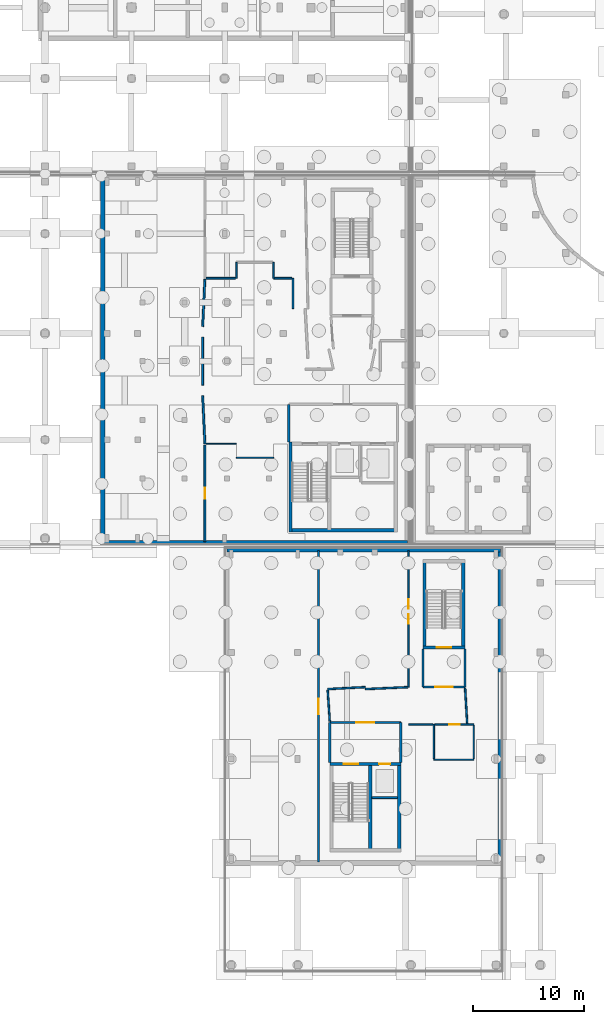
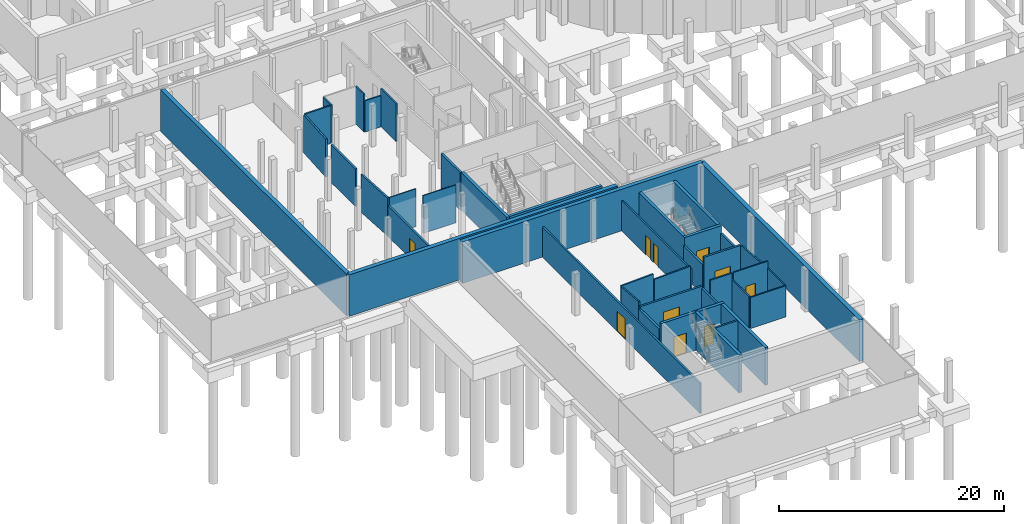
# One storey, part 20 of 40: 42 walls, 10 doors, 10 openings.
"""IFC4 building model written with IfcOpenShell, lengths in metres."""

from ifc_helpers import new_model, si_unit, direction, frame, frame_2d, origin, place, context, subcontext, project, spatial, rectangle, extrude, material, layer, layer_set, type_object, element, fill, save


model = new_model("IFC4")

# Units and contexts
model_context = context("Model", 3, precision=1e-05, world=origin(), true_north=direction((0.0, 1.0)))
body_context = subcontext(model_context, "Body", "Model", "MODEL_VIEW")
ifc_project = project(units=[si_unit("LENGTHUNIT", "METRE"), si_unit("AREAUNIT", "SQUARE_METRE"), si_unit("VOLUMEUNIT", "CUBIC_METRE"), si_unit("PLANEANGLEUNIT", "RADIAN"), si_unit("MASSUNIT", "GRAM", prefix="KILO")], contexts=[model_context])

# Site, building, storey
site_placement = place(None, origin())
site = spatial("IfcSite", under=ifc_project, at=site_placement, CompositionType="ELEMENT")
building_placement = place(site_placement, origin())
building = spatial("IfcBuilding", under=site, at=building_placement, Name="Mzevani Central Library", CompositionType="ELEMENT")
storey_placement = place(building_placement, frame((0.0, 0.0, -4.5)))
storey = spatial("IfcBuildingStorey", under=building, at=storey_placement, Name="B1", CompositionType="ELEMENT", Elevation=-4.5)

# Walls
ifc_material_1 = material(Name="Concrete C35/45", Category="concrete")
ifc_layer_1 = layer(ifc_material_1, 0.419921875, Name="Basement Retaining Wall 420")
ifc_layer_set_1 = layer_set([ifc_layer_1], Name="Concrete C35/45")
wall_type_1 = type_object("IfcWallType", Name="Basement Retaining Wall 420", PredefinedType="SOLIDWALL", material=ifc_layer_set_1)
wall_1_placement = place(storey_placement, frame((29.409912109375, 42.090087890625, 0.0), z_axis=(0.0, 0.0, 1.0), x_axis=(1.0, 0.0, 0.0)))
element("IfcWall", 1, at=wall_1_placement, inside=storey, type_object=wall_type_1, Name="B1 V4 Perimeter Retaining Wall (58)", PredefinedType="SOLIDWALL", context=body_context, shape_type="SweptSolid", body=[
    extrude(rectangle(XDim=24.68017578125, YDim=0.419921875, at=frame_2d((12.340087890625, 0.0))), origin(), (0.0, 0.0, 1.0), 4.5),
])
wall_2_placement = place(storey_placement, frame((54.090087890625, 42.090087890625, 0.0), z_axis=(0.0, 0.0, 1.0), x_axis=(0.0, -1.0, 0.0)))
element("IfcWall", 2, at=wall_2_placement, inside=storey, type_object=wall_type_1, Name="B1 V4 Perimeter Retaining Wall (59)", PredefinedType="SOLIDWALL", context=body_context, shape_type="SweptSolid", body=[
    extrude(rectangle(XDim=28.280029296875, YDim=0.419921875, at=frame_2d((14.14013671875, 0.0))), origin(), (0.0, 0.0, 1.0), 4.5),
])
wall_3_placement = place(storey_placement, frame((45.68994140625, 42.7099609375, 0.0), z_axis=(0.0, 0.0, 1.0), x_axis=(-1.0, 0.0, 0.0)))
element("IfcWall", 3, at=wall_3_placement, inside=storey, type_object=wall_type_1, Name="B1 V5 Perimeter Retaining Wall (64)", PredefinedType="SOLIDWALL", context=body_context, shape_type="SweptSolid", body=[
    extrude(rectangle(XDim=27.47998046875, YDim=0.419921875, at=frame_2d((13.739990234375, 0.0))), origin(), (0.0, 0.0, 1.0), 4.5),
])
wall_4_placement = place(storey_placement, frame((18.2099609375, 42.7099609375, 0.0), z_axis=(0.0, 0.0, 1.0), x_axis=(0.0, 1.0, 0.0)))
element("IfcWall", 4, at=wall_4_placement, inside=storey, type_object=wall_type_1, Name="B1 V5 Perimeter Retaining Wall (65)", PredefinedType="SOLIDWALL", context=body_context, shape_type="SweptSolid", body=[
    extrude(rectangle(XDim=32.97998046875, YDim=0.419921875, at=frame_2d((16.489990234375, 0.0))), origin(), (0.0, 0.0, 1.0), 4.5),
])
ifc_layer_2 = layer(ifc_material_1, 0.199951171875, Name="Compartment Wall 200")
ifc_layer_set_2 = layer_set([ifc_layer_2], Name="Concrete C35/45")
wall_type_2 = type_object("IfcWallType", Name="Compartment Wall 200", PredefinedType="STANDARD", material=ifc_layer_set_2)
wall_5_placement = place(storey_placement, frame((38.699951171875, 22.89990234375, 0.0), z_axis=(0.0, 0.0, 1.0), x_axis=(0.0, 1.0, 0.0)))
element("IfcWall", 5, at=wall_5_placement, inside=storey, type_object=wall_type_2, Name="B1 Protected Stair Lobby C4A Enclosure Wall 1", PredefinedType="STANDARD", context=body_context, shape_type="SweptSolid", body=[
    extrude(rectangle(XDim=3.60009765625, YDim=0.199951171875, at=frame_2d((1.800048828125, 0.0))), origin(), (0.0, 0.0, 1.0), 3.3798828125),
])

# Wall, opening, door
wall_6_placement = place(storey_placement, frame((38.699951171875, 26.5, 0.0), z_axis=(0.0, 0.0, 1.0), x_axis=(1.0, 0.0, 0.0)))
wall_6 = element("IfcWall", 6, at=wall_6_placement, inside=storey, type_object=wall_type_2, Name="B1 Protected Stair Lobby C4A Enclosure Wall 2", PredefinedType="STANDARD", context=body_context, shape_type="SweptSolid", body=[
    extrude(rectangle(XDim=6.400146484375, YDim=0.199951171875, at=frame_2d((3.2001953125, 0.0))), origin(), (0.0, 0.0, 1.0), 3.6298828125),
])
opening_1_placement = place(wall_6_placement, frame((2.39990234375, 0.0, 0.0)))
opening_1 = element("IfcOpeningElement", 7, at=opening_1_placement, cuts=wall_6, Name="Opening FD-02", PredefinedType="OPENING", context=body_context, shape_type="SweptSolid", body=[
    extrude(rectangle(XDim=1.60009765625, YDim=2.199951171875, at=frame_2d((0.800048828125, 1.10009765625))), frame((0.0, 0.10986328125, 0.0), z_axis=(0.0, -1.0, 0.0), x_axis=(1.0, 0.0, 0.0)), (0.0, 0.0, 1.0), 0.219970703125),
])
ifc_material_2 = material(Name="Fire-rated steel door assembly", Category="steel")
door_type_1 = type_object("IfcDoorType", Name="Fire Lobby Double Door 1600x2200", OperationType="NOTDEFINED", PredefinedType="DOOR", material=ifc_material_2)
door_1_placement = place(opening_1_placement, origin())
door_1 = element("IfcDoor", 8, at=door_1_placement, inside=storey, type_object=door_type_1, Name="B1 Protected Stair Lobby C4A Smoke-Control Door", OperationType="DOUBLE_DOOR_SINGLE_SWING", OverallHeight=2.199951171875, OverallWidth=1.60009765625, PredefinedType="DOOR", context=body_context, shape_type="SweptSolid", body=[
    extrude(rectangle(XDim=1.60009765625, YDim=2.199951171875, at=frame_2d((0.800048828125, 1.10009765625))), frame((0.0, 0.02490234375, 0.0), z_axis=(0.0, -1.0, 0.0), x_axis=(1.0, 0.0, 0.0)), (0.0, 0.0, 1.0), 0.050048828125),
])
fill(opening_1, door_1)

# Walls
wall_7_placement = place(storey_placement, frame((45.10009765625, 26.5, 0.0), z_axis=(0.0, 0.0, 1.0), x_axis=(0.0, -1.0, 0.0)))
element("IfcWall", 9, at=wall_7_placement, inside=storey, type_object=wall_type_2, Name="B1 Protected Stair Lobby C4A Enclosure Wall 3", PredefinedType="STANDARD", context=body_context, shape_type="SweptSolid", body=[
    extrude(rectangle(XDim=3.60009765625, YDim=0.199951171875, at=frame_2d((1.800048828125, 0.0))), origin(), (0.0, 0.0, 1.0), 3.3798828125),
])
wall_8_placement = place(storey_placement, frame((47.10009765625, 33.10009765625, 0.0), z_axis=(0.0, 0.0, 1.0), x_axis=(0.0, -1.0, 0.0)))
element("IfcWall", 10, at=wall_8_placement, inside=storey, type_object=wall_type_2, Name="B1 Stair Vestibule C4B Enclosure Wall 1", PredefinedType="STANDARD", context=body_context, shape_type="SweptSolid", body=[
    extrude(rectangle(XDim=3.400146484375, YDim=0.199951171875, at=frame_2d((1.7001953125, 0.0))), origin(), (0.0, 0.0, 1.0), 3.280029296875),
])

# Wall, opening, door
wall_9_placement = place(storey_placement, frame((47.10009765625, 29.699951171875, 0.0), z_axis=(0.0, 0.0, 1.0), x_axis=(1.0, 0.0, 0.0)))
wall_9 = element("IfcWall", 11, at=wall_9_placement, inside=storey, type_object=wall_type_2, Name="B1 Stair Vestibule C4B Enclosure Wall 2", PredefinedType="STANDARD", context=body_context, shape_type="SweptSolid", body=[
    extrude(rectangle(XDim=3.7998046875, YDim=0.199951171875, at=frame_2d((1.89990234375, 0.0))), origin(), (0.0, 0.0, 1.0), 4.10009765625),
])
opening_2_placement = place(wall_9_placement, frame((1.10009765625, 0.0, 0.0)))
opening_2 = element("IfcOpeningElement", 12, at=opening_2_placement, cuts=wall_9, Name="Opening FD-02", PredefinedType="OPENING", context=body_context, shape_type="SweptSolid", body=[
    extrude(rectangle(XDim=1.60009765625, YDim=2.199951171875, at=frame_2d((0.800048828125, 1.10009765625))), frame((0.0, 0.10986328125, 0.0), z_axis=(0.0, -1.0, 0.0), x_axis=(1.0, 0.0, 0.0)), (0.0, 0.0, 1.0), 0.219970703125),
])
door_2_placement = place(opening_2_placement, origin())
door_2 = element("IfcDoor", 13, at=door_2_placement, inside=storey, type_object=door_type_1, Name="B1 Stair Vestibule C4B Smoke-Control Door", OperationType="DOUBLE_DOOR_SINGLE_SWING", OverallHeight=2.199951171875, OverallWidth=1.60009765625, PredefinedType="DOOR", context=body_context, shape_type="SweptSolid", body=[
    extrude(rectangle(XDim=1.60009765625, YDim=2.199951171875, at=frame_2d((0.800048828125, 1.10009765625))), frame((0.0, 0.02490234375, 0.0), z_axis=(0.0, -1.0, 0.0), x_axis=(1.0, 0.0, 0.0)), (0.0, 0.0, 1.0), 0.050048828125),
])
fill(opening_2, door_2)

# Walls
wall_10_placement = place(storey_placement, frame((50.89990234375, 29.699951171875, 0.0), z_axis=(0.0, 0.0, 1.0), x_axis=(0.0, 1.0, 0.0)))
element("IfcWall", 14, at=wall_10_placement, inside=storey, type_object=wall_type_2, Name="B1 Stair Vestibule C4B Enclosure Wall 3", PredefinedType="STANDARD", context=body_context, shape_type="SweptSolid", body=[
    extrude(rectangle(XDim=3.400146484375, YDim=0.199951171875, at=frame_2d((1.7001953125, 0.0))), origin(), (0.0, 0.0, 1.0), 3.280029296875),
])
wall_11_placement = place(storey_placement, frame((35.0, 51.800048828125, 0.0), z_axis=(0.0, 0.0, 1.0), x_axis=(0.0, 1.0, 0.0)))
element("IfcWall", 15, at=wall_11_placement, inside=storey, type_object=wall_type_2, Name="B1 Protected Stair Lobby C5A Enclosure Wall 1", PredefinedType="STANDARD", context=body_context, shape_type="SweptSolid", body=[
    extrude(rectangle(XDim=3.39990234375, YDim=0.199951171875, at=frame_2d((1.699951171875, 0.0))), origin(), (0.0, 0.0, 1.0), 4.10009765625),
])

# Wall, openings, doors
ifc_material_3 = material(Name="Concrete C40/50", Category="concrete")
ifc_layer_3 = layer(ifc_material_3, 0.300048828125, Name="Core Shear Wall 300")
ifc_layer_set_3 = layer_set([ifc_layer_3], Name="Concrete C40/50")
wall_type_3 = type_object("IfcWallType", Name="Core Shear Wall 300", PredefinedType="SHEAR", material=ifc_layer_set_3)
wall_12_placement = place(storey_placement, frame((38.699951171875, 22.75, 0.0), z_axis=(0.0, 0.0, 1.0), x_axis=(1.0, 0.0, 0.0)))
wall_12 = element("IfcWall", 16, at=wall_12_placement, inside=storey, type_object=wall_type_3, Name="B1 Core C4A Cultural Wing Core Shear Wall (+y)", PredefinedType="SHEAR", context=body_context, shape_type="SweptSolid", body=[
    extrude(rectangle(XDim=6.400146484375, YDim=0.300048828125, at=frame_2d((3.2001953125, 0.0))), origin(), (0.0, 0.0, 1.0), 4.10009765625),
])
opening_3_placement = place(wall_12_placement, frame((1.25, 0.0, 0.0)))
opening_3 = element("IfcOpeningElement", 17, at=opening_3_placement, cuts=wall_12, Name="Opening FD-01", PredefinedType="OPENING", context=body_context, shape_type="SweptSolid", body=[
    extrude(rectangle(XDim=1.300048828125, YDim=2.199951171875, at=frame_2d((0.64990234375, 1.10009765625))), frame((0.0, 0.16015625, 0.0), z_axis=(0.0, -1.0, 0.0), x_axis=(1.0, 0.0, 0.0)), (0.0, 0.0, 1.0), 0.320068359375),
])
opening_4_placement = place(wall_12_placement, frame((4.449951171875, 0.0, 0.0)))
opening_4 = element("IfcOpeningElement", 18, at=opening_4_placement, cuts=wall_12, Name="Opening LD-01", PredefinedType="OPENING", context=body_context, shape_type="SweptSolid", body=[
    extrude(rectangle(XDim=1.0, YDim=2.14990234375, at=frame_2d((0.5, 1.074951171875))), frame((0.0, 0.16015625, 0.0), z_axis=(0.0, -1.0, 0.0), x_axis=(1.0, 0.0, 0.0)), (0.0, 0.0, 1.0), 0.320068359375),
])
door_type_2 = type_object("IfcDoorType", Name="Fire Stair Door 1300x2200", OperationType="NOTDEFINED", PredefinedType="DOOR", material=ifc_material_2)
door_3_placement = place(opening_3_placement, origin())
door_3 = element("IfcDoor", 19, at=door_3_placement, inside=storey, type_object=door_type_2, Name="B1 ST-07 Protected Exit Stair Door", OperationType="SINGLE_SWING_RIGHT", OverallHeight=2.199951171875, OverallWidth=1.300048828125, PredefinedType="DOOR", context=body_context, shape_type="SweptSolid", body=[
    extrude(rectangle(XDim=1.300048828125, YDim=2.199951171875, at=frame_2d((0.64990234375, 1.10009765625))), frame((0.0, 0.02490234375, 0.0), z_axis=(0.0, -1.0, 0.0), x_axis=(1.0, 0.0, 0.0)), (0.0, 0.0, 1.0), 0.050048828125),
])
fill(opening_3, door_3)
ifc_material_4 = material(Name="Brushed stainless steel door", Category="steel")
door_type_3 = type_object("IfcDoorType", Name="Passenger Lift Landing Door 1000x2150", OperationType="NOTDEFINED", PredefinedType="DOOR", material=ifc_material_4)
door_4_placement = place(opening_4_placement, origin())
door_4 = element("IfcDoor", 20, at=door_4_placement, inside=storey, type_object=door_type_3, Name="B1 Lift LF-P3 Sliding Landing Door", OperationType="SLIDING_TO_LEFT", OverallHeight=2.14990234375, OverallWidth=1.0, PredefinedType="DOOR", context=body_context, shape_type="SweptSolid", body=[
    extrude(rectangle(XDim=1.0, YDim=2.14990234375, at=frame_2d((0.5, 1.074951171875))), frame((0.0, 0.02490234375, 0.0), z_axis=(0.0, -1.0, 0.0), x_axis=(1.0, 0.0, 0.0)), (0.0, 0.0, 1.0), 0.050048828125),
])
fill(opening_4, door_4)

# Walls
wall_13_placement = place(storey_placement, frame((44.949951171875, 22.89990234375, 0.0), z_axis=(0.0, 0.0, 1.0), x_axis=(0.0, -1.0, 0.0)))
element("IfcWall", 21, at=wall_13_placement, inside=storey, type_object=wall_type_3, Name="B1 Core C4A Cultural Wing Core Shear Wall (+x)", PredefinedType="SHEAR", context=body_context, shape_type="SweptSolid", body=[
    extrude(rectangle(XDim=8.099853515625, YDim=0.300048828125, at=frame_2d((4.0498046875, 0.0))), origin(), (0.0, 0.0, 1.0), 4.10009765625),
])
wall_14_placement = place(storey_placement, frame((42.35009765625, 14.949951171875, 0.0), z_axis=(0.0, 0.0, 1.0), x_axis=(0.0, 1.0, 0.0)))
element("IfcWall", 22, at=wall_14_placement, inside=storey, type_object=wall_type_3, Name="B1 Core C4A Cultural Wing Core Hoistway Shear Wall", PredefinedType="SHEAR", context=body_context, shape_type="SweptSolid", body=[
    extrude(rectangle(XDim=7.800048828125, YDim=0.300048828125, at=frame_2d((3.89990234375, 0.0))), origin(), (0.0, 0.0, 1.0), 4.10009765625),
])

# Wall, opening, door
wall_15_placement = place(storey_placement, frame((50.89990234375, 33.25, 0.0), z_axis=(0.0, 0.0, 1.0), x_axis=(-1.0, 0.0, 0.0)))
wall_15 = element("IfcWall", 23, at=wall_15_placement, inside=storey, type_object=wall_type_3, Name="B1 Core C4B Square South Escape Stair Shear Wall (-y)", PredefinedType="SHEAR", context=body_context, shape_type="SweptSolid", body=[
    extrude(rectangle(XDim=3.7998046875, YDim=0.300048828125, at=frame_2d((1.89990234375, 0.0))), origin(), (0.0, 0.0, 1.0), 4.10009765625),
])
opening_5_placement = place(wall_15_placement, frame((1.25, 0.0, 0.0)))
opening_5 = element("IfcOpeningElement", 24, at=opening_5_placement, cuts=wall_15, Name="Opening FD-01", PredefinedType="OPENING", context=body_context, shape_type="SweptSolid", body=[
    extrude(rectangle(XDim=1.300048828125, YDim=2.199951171875, at=frame_2d((0.64990234375, 1.10009765625))), frame((0.0, 0.16015625, 0.0), z_axis=(0.0, -1.0, 0.0), x_axis=(1.0, 0.0, 0.0)), (0.0, 0.0, 1.0), 0.320068359375),
])
door_5_placement = place(opening_5_placement, origin())
door_5 = element("IfcDoor", 25, at=door_5_placement, inside=storey, type_object=door_type_2, Name="B1 ST-08 Protected Exit Stair Door", OperationType="SINGLE_SWING_LEFT", OverallHeight=2.199951171875, OverallWidth=1.300048828125, PredefinedType="DOOR", context=body_context, shape_type="SweptSolid", body=[
    extrude(rectangle(XDim=1.300048828125, YDim=2.199951171875, at=frame_2d((0.64990234375, 1.10009765625))), frame((0.0, 0.02490234375, 0.0), z_axis=(0.0, -1.0, 0.0), x_axis=(1.0, 0.0, 0.0)), (0.0, 0.0, 1.0), 0.050048828125),
])
fill(opening_5, door_5)

# Walls
for number, where, z_axis, x_axis, name in (
    (26, (47.25, 33.10009765625, 0.0), (0.0, 0.0, 1.0), (0.0, 1.0, 0.0), "B1 Core C4B Square South Escape Stair Shear Wall (-x)"),
    (27, (50.75, 41.199951171875, 0.0), (0.0, 0.0, 1.0), (0.0, -1.0, 0.0), "B1 Core C4B Square South Escape Stair Shear Wall (+x)"),
):
    element("IfcWall", number, at=place(storey_placement, frame(where, z_axis=z_axis, x_axis=x_axis)), inside=storey, type_object=wall_type_3, Name=name, PredefinedType="SHEAR", context=body_context, shape_type="SweptSolid", body=[
        extrude(rectangle(XDim=8.099853515625, YDim=0.300048828125, at=frame_2d((4.0498046875, 0.0))), origin(), (0.0, 0.0, 1.0), 4.10009765625),
    ])
wall_16_placement = place(storey_placement, frame((44.800048828125, 43.85009765625, 0.0), z_axis=(0.0, 0.0, 1.0), x_axis=(-1.0, 0.0, 0.0)))
element("IfcWall", 28, at=wall_16_placement, inside=storey, type_object=wall_type_3, Name="B1 Core C5A Auditorium & Goods Core Shear Wall (-y)", PredefinedType="SHEAR", context=body_context, shape_type="SweptSolid", body=[
    extrude(rectangle(XDim=9.800048828125, YDim=0.300048828125, at=frame_2d((4.89990234375, 0.0))), origin(), (0.0, 0.0, 1.0), 4.10009765625),
])
wall_17_placement = place(storey_placement, frame((35.14990234375, 43.699951171875, 0.0), z_axis=(0.0, 0.0, 1.0), x_axis=(0.0, 1.0, 0.0)))
element("IfcWall", 29, at=wall_17_placement, inside=storey, type_object=wall_type_3, Name="B1 Core C5A Auditorium & Goods Core Shear Wall (-x)", PredefinedType="SHEAR", context=body_context, shape_type="SweptSolid", body=[
    extrude(rectangle(XDim=8.10009765625, YDim=0.300048828125, at=frame_2d((4.050048828125, 0.0))), origin(), (0.0, 0.0, 1.0), 4.10009765625),
])
ifc_material_5 = material(Name="Fire-rated gypsum board", Category="gypsum")
ifc_layer_4 = layer(ifc_material_5, 0.1201171875, Name="Partition Acoustic 120")
ifc_layer_set_4 = layer_set([ifc_layer_4], Name="Fire-rated gypsum board")
wall_type_4 = type_object("IfcWallType", Name="Partition Acoustic 120", PredefinedType="PARTITIONING", material=ifc_layer_set_4)
wall_18_placement = place(storey_placement, frame((51.68994140625, 23.1201171875, 0.0), z_axis=(0.0, 0.0, 1.0), x_axis=(-1.0, 0.0, 0.0)))
element("IfcWall", 30, at=wall_18_placement, inside=storey, type_object=wall_type_4, Name="B1 V4 Partition IW-02 (38)", PredefinedType="PARTITIONING", context=body_context, shape_type="SweptSolid", body=[
    extrude(rectangle(XDim=3.599853515625, YDim=0.1201171875, at=frame_2d((1.7998046875, 0.0))), origin(), (0.0, 0.0, 1.0), 3.3798828125),
])
wall_19_placement = place(storey_placement, frame((48.090087890625, 23.219970703125, 0.0), z_axis=(0.0, 0.0, 1.0), x_axis=(0.0, 1.0, 0.0)))
element("IfcWall", 31, at=wall_19_placement, inside=storey, type_object=wall_type_4, Name="B1 V4 Partition IW-02 (39)", PredefinedType="PARTITIONING", context=body_context, shape_type="SweptSolid", body=[
    extrude(rectangle(XDim=3.10009765625, YDim=0.1201171875, at=frame_2d((1.550048828125, 0.0))), origin(), (0.0, 0.0, 1.0), 3.3798828125),
])

# Wall, opening, door
wall_20_placement = place(storey_placement, frame((48.18994140625, 26.320068359375, 0.0), z_axis=(0.0, 0.0, 1.0), x_axis=(1.0, 0.0, 0.0)))
wall_20 = element("IfcWall", 32, at=wall_20_placement, inside=storey, type_object=wall_type_4, Name="B1 V4 Partition IW-02 (40)", PredefinedType="PARTITIONING", context=body_context, shape_type="SweptSolid", body=[
    extrude(rectangle(XDim=3.5, YDim=0.1201171875, at=frame_2d((1.75, 0.0))), origin(), (0.0, 0.0, 1.0), 4.10009765625),
])
opening_6_placement = place(wall_20_placement, frame((1.27490234375, 0.0, 0.0)))
opening_6 = element("IfcOpeningElement", 33, at=opening_6_placement, cuts=wall_20, Name="Opening ID-02", PredefinedType="OPENING", context=body_context, shape_type="SweptSolid", body=[
    extrude(rectangle(XDim=0.949951171875, YDim=2.14990234375, at=frame_2d((0.47509765625, 1.074951171875))), frame((0.0, 0.070068359375, 0.0), z_axis=(0.0, -1.0, 0.0), x_axis=(1.0, 0.0, 0.0)), (0.0, 0.0, 1.0), 0.14013671875),
])
ifc_material_6 = material(Name="Fire-rated solid oak leaf")
door_type_4 = type_object("IfcDoorType", Name="Accessible WC Door 950x2150", OperationType="NOTDEFINED", PredefinedType="DOOR", material=ifc_material_6)
door_6_placement = place(opening_6_placement, origin())
door_6 = element("IfcDoor", 34, at=door_6_placement, inside=storey, type_object=door_type_4, Name="B1 Accessible WC and Public Toilet V4 Door", OperationType="SINGLE_SWING_LEFT", OverallHeight=2.14990234375, OverallWidth=0.949951171875, PredefinedType="DOOR", context=body_context, shape_type="SweptSolid", body=[
    extrude(rectangle(XDim=0.949951171875, YDim=2.14990234375, at=frame_2d((0.47509765625, 1.074951171875))), frame((0.0, 0.02490234375, 0.0), z_axis=(0.0, -1.0, 0.0), x_axis=(1.0, 0.0, 0.0)), (0.0, 0.0, 1.0), 0.050048828125),
])
fill(opening_6, door_6)

# Walls
wall_21_placement = place(storey_placement, frame((51.68994140625, 26.219970703125, 0.0), z_axis=(0.0, 0.0, 1.0), x_axis=(0.0, -1.0, 0.0)))
element("IfcWall", 35, at=wall_21_placement, inside=storey, type_object=wall_type_4, Name="B1 V4 Partition IW-02 (41)", PredefinedType="PARTITIONING", context=body_context, shape_type="SweptSolid", body=[
    extrude(rectangle(XDim=3.0, YDim=0.1201171875, at=frame_2d((1.5, 0.0))), origin(), (0.0, 0.0, 1.0), 3.3798828125),
])
ifc_layer_5 = layer(ifc_material_5, 0.10009765625, Name="Partition Gypsum 100")
ifc_layer_set_5 = layer_set([ifc_layer_5], Name="Fire-rated gypsum board")
wall_type_5 = type_object("IfcWallType", Name="Partition Gypsum 100", PredefinedType="PARTITIONING", material=ifc_layer_set_5)
wall_22_placement = place(storey_placement, frame((30.27001953125, 50.3798828125, 0.0), z_axis=(0.0, 0.0, 1.0), x_axis=(1.0, 0.0, 0.0)))
element("IfcWall", 36, at=wall_22_placement, inside=storey, type_object=wall_type_5, Name="B1 V5 Partition IW-01 (61)", PredefinedType="PARTITIONING", context=body_context, shape_type="SweptSolid", body=[
    extrude(rectangle(XDim=3.35986328125, YDim=0.10009765625, at=frame_2d((1.679931640625, 0.0))), origin(), (0.0, 0.0, 1.0), 4.10009765625),
])
wall_23_placement = place(storey_placement, frame((27.526611328125, 51.625, 0.0), z_axis=(0.0, 0.0, 1.0), x_axis=(1.0, 0.0, 0.0)))
element("IfcWall", 37, at=wall_23_placement, inside=storey, type_object=wall_type_5, Name="B1 V5 Partition IW-01 (62)", PredefinedType="PARTITIONING", context=body_context, shape_type="SweptSolid", body=[
    extrude(rectangle(XDim=2.743408203125, YDim=0.10009765625, at=frame_2d((1.37158203125, 0.0))), origin(), (0.0, 0.0, 1.0), 4.10009765625),
])

# Wall, openings, doors
ifc_layer_6 = layer(ifc_material_5, 0.14990234375, Name="Partition Study 150")
ifc_layer_set_6 = layer_set([ifc_layer_6], Name="Fire-rated gypsum board")
wall_type_6 = type_object("IfcWallType", Name="Partition Study 150", PredefinedType="PARTITIONING", material=ifc_layer_set_6)
wall_24_placement = place(storey_placement, frame((45.806640625, 41.989990234375, 0.0), z_axis=(0.0, 0.0, 1.0), x_axis=(0.0, -1.0, 0.0)))
wall_24 = element("IfcWall", 38, at=wall_24_placement, inside=storey, type_object=wall_type_6, Name="B1 V4 Partition IW-03 (43)", PredefinedType="PARTITIONING", context=body_context, shape_type="SweptSolid", body=[
    extrude(rectangle(XDim=12.31005859375, YDim=0.14990234375, at=frame_2d((6.155029296875, 0.0))), origin(), (0.0, 0.0, 1.0), 3.280029296875),
])
opening_7_placement = place(wall_24_placement, frame((5.72998046875, 0.0, 0.0)))
opening_7 = element("IfcOpeningElement", 39, at=opening_7_placement, cuts=wall_24, Name="Opening FD-08", PredefinedType="OPENING", context=body_context, shape_type="SweptSolid", body=[
    extrude(rectangle(XDim=0.85009765625, YDim=2.10009765625, at=frame_2d((0.425048828125, 1.050048828125))), frame((0.0, 0.0849609375, 0.0), z_axis=(0.0, -1.0, 0.0), x_axis=(1.0, 0.0, 0.0)), (0.0, 0.0, 1.0), 0.169921875),
])
opening_8_placement = place(wall_24_placement, frame((4.3798828125, 0.0, 0.0)))
opening_8 = element("IfcOpeningElement", 40, at=opening_8_placement, cuts=wall_24, Name="Opening FD-08", PredefinedType="OPENING", context=body_context, shape_type="SweptSolid", body=[
    extrude(rectangle(XDim=0.85009765625, YDim=2.10009765625, at=frame_2d((0.425048828125, 1.050048828125))), frame((0.0, 0.0849609375, 0.0), z_axis=(0.0, -1.0, 0.0), x_axis=(1.0, 0.0, 0.0)), (0.0, 0.0, 1.0), 0.169921875),
])
door_type_5 = type_object("IfcDoorType", Name="Service Riser Fire Door 850x2100", OperationType="NOTDEFINED", PredefinedType="DOOR", material=ifc_material_2)
door_7_placement = place(opening_7_placement, origin())
door_7 = element("IfcDoor", 41, at=door_7_placement, inside=storey, type_object=door_type_5, Name="B1 Maker Materials Storage Room Door", OperationType="SINGLE_SWING_RIGHT", OverallHeight=2.10009765625, OverallWidth=0.85009765625, PredefinedType="DOOR", context=body_context, shape_type="SweptSolid", body=[
    extrude(rectangle(XDim=0.85009765625, YDim=2.10009765625, at=frame_2d((0.425048828125, 1.050048828125))), frame((0.0, 0.02490234375, 0.0), z_axis=(0.0, -1.0, 0.0), x_axis=(1.0, 0.0, 0.0)), (0.0, 0.0, 1.0), 0.050048828125),
])
fill(opening_7, door_7)
door_8_placement = place(opening_8_placement, origin())
door_8 = element("IfcDoor", 42, at=door_8_placement, inside=storey, type_object=door_type_5, Name="B1 Building Maintenance Workshop Door", OperationType="SINGLE_SWING_LEFT", OverallHeight=2.10009765625, OverallWidth=0.85009765625, PredefinedType="DOOR", context=body_context, shape_type="SweptSolid", body=[
    extrude(rectangle(XDim=0.85009765625, YDim=2.10009765625, at=frame_2d((0.425048828125, 1.050048828125))), frame((0.0, 0.02490234375, 0.0), z_axis=(0.0, -1.0, 0.0), x_axis=(1.0, 0.0, 0.0)), (0.0, 0.0, 1.0), 0.050048828125),
])
fill(opening_8, door_8)

# Walls
wall_25_placement = place(storey_placement, frame((45.706787109375, 29.67529296875, 0.0), z_axis=(0.0, 0.0, 1.0), x_axis=(-0.998941551841, -0.045997565204, 0.0)))
element("IfcWall", 43, at=wall_25_placement, inside=storey, type_object=wall_type_6, Name="B1 V4 Partition IW-03 (44)", PredefinedType="PARTITIONING", context=body_context, shape_type="SweptSolid", body=[
    extrude(rectangle(XDim=3.81103515625, YDim=0.14990234375, at=frame_2d((1.905517578125, 0.0))), origin(), (0.0, 0.0, 1.0), 3.6298828125),
])
wall_26_placement = place(storey_placement, frame((41.89990234375, 29.679931640625, 0.0), z_axis=(0.0, 0.0, 1.0), x_axis=(-0.998602534522, -0.052848633344, 0.0)))
element("IfcWall", 44, at=wall_26_placement, inside=storey, type_object=wall_type_6, Name="B1 V4 Partition IW-03 (45)", PredefinedType="PARTITIONING", context=body_context, shape_type="SweptSolid", body=[
    extrude(rectangle(XDim=3.404541015625, YDim=0.14990234375, at=frame_2d((1.7021484375, 0.0))), origin(), (0.0, 0.0, 1.0), 4.10009765625),
])
wall_27_placement = place(storey_placement, frame((38.506591796875, 29.400146484375, 0.0), z_axis=(0.0, 0.0, 1.0), x_axis=(0.066547879088, -0.997783232866, 0.0)))
element("IfcWall", 45, at=wall_27_placement, inside=storey, type_object=wall_type_6, Name="B1 V4 Partition IW-03 (46)", PredefinedType="PARTITIONING", context=body_context, shape_type="SweptSolid", body=[
    extrude(rectangle(XDim=2.806396484375, YDim=0.14990234375, at=frame_2d((1.4033203125, 0.0))), origin(), (0.0, 0.0, 1.0), 4.10009765625),
])
wall_28_placement = place(storey_placement, frame((45.806640625, 26.320068359375, 0.0), z_axis=(0.0, 0.0, 1.0), x_axis=(1.0, 0.0, 0.0)))
element("IfcWall", 46, at=wall_28_placement, inside=storey, type_object=wall_type_6, Name="B1 V4 Partition IW-03 (47)", PredefinedType="PARTITIONING", context=body_context, shape_type="SweptSolid", body=[
    extrude(rectangle(XDim=2.183349609375, YDim=0.14990234375, at=frame_2d((1.091796875, 0.0))), origin(), (0.0, 0.0, 1.0), 4.10009765625),
])
wall_29_placement = place(storey_placement, frame((51.093994140625, 26.419921875, 0.0), z_axis=(0.0, 0.0, 1.0), x_axis=(-0.059009535749, 0.998257419051, 0.0)))
element("IfcWall", 47, at=wall_29_placement, inside=storey, type_object=wall_type_6, Name="B1 V4 Partition IW-03 (48)", PredefinedType="PARTITIONING", context=body_context, shape_type="SweptSolid", body=[
    extrude(rectangle(XDim=3.185791015625, YDim=0.14990234375, at=frame_2d((1.5927734375, 0.0))), origin(), (0.0, 0.0, 1.0), 4.10009765625),
])
wall_30_placement = place(storey_placement, frame((35.375, 63.824951171875, 0.0), z_axis=(0.0, 0.0, 1.0), x_axis=(0.0, 1.0, 0.0)))
element("IfcWall", 48, at=wall_30_placement, inside=storey, type_object=wall_type_6, Name="B1 V5 Partition IW-03 (55)", PredefinedType="PARTITIONING", context=body_context, shape_type="SweptSolid", body=[
    extrude(rectangle(XDim=2.75, YDim=0.14990234375, at=frame_2d((1.375, 0.0))), origin(), (0.0, 0.0, 1.0), 4.10009765625),
])
wall_31_placement = place(storey_placement, frame((35.27490234375, 66.574951171875, 0.0), z_axis=(0.0, 0.0, 1.0), x_axis=(-1.0, 0.0, 0.0)))
element("IfcWall", 49, at=wall_31_placement, inside=storey, type_object=wall_type_6, Name="B1 V5 Partition IW-03 (56)", PredefinedType="PARTITIONING", context=body_context, shape_type="SweptSolid", body=[
    extrude(rectangle(XDim=1.64501953125, YDim=0.14990234375, at=frame_2d((0.822509765625, 0.0))), origin(), (0.0, 0.0, 1.0), 3.3798828125),
])
for number, where, z_axis, x_axis, name in (
    (50, (33.6298828125, 66.574951171875, 0.0), (0.0, 0.0, 1.0), (0.0, 1.0, 0.0), "B1 V5 Partition IW-03 (57)"),
    (51, (30.27001953125, 68.02001953125, 0.0), (0.0, 0.0, 1.0), (0.0, -1.0, 0.0), "B1 V5 Partition IW-03 (59)"),
):
    element("IfcWall", number, at=place(storey_placement, frame(where, z_axis=z_axis, x_axis=x_axis)), inside=storey, type_object=wall_type_6, Name=name, PredefinedType="PARTITIONING", context=body_context, shape_type="SweptSolid", body=[
        extrude(rectangle(XDim=1.445068359375, YDim=0.14990234375, at=frame_2d((0.72265625, 0.0))), origin(), (0.0, 0.0, 1.0), 4.10009765625),
    ])
wall_32_placement = place(storey_placement, frame((30.169921875, 66.574951171875, 0.0), z_axis=(0.0, 0.0, 1.0), x_axis=(-1.0, 0.0, 0.0)))
element("IfcWall", 52, at=wall_32_placement, inside=storey, type_object=wall_type_6, Name="B1 V5 Partition IW-03 (60)", PredefinedType="PARTITIONING", context=body_context, shape_type="SweptSolid", body=[
    extrude(rectangle(XDim=2.643310546875, YDim=0.14990234375, at=frame_2d((1.32177734375, 0.0))), origin(), (0.0, 0.0, 1.0), 4.10009765625),
])
ifc_material_7 = material(Name="Concrete blockwork masonry", Category="masonry")
ifc_layer_7 = layer(ifc_material_7, 0.179931640625, Name="Shaft Enclosure Wall 180")
ifc_layer_set_7 = layer_set([ifc_layer_7], Name="Concrete blockwork masonry")
wall_type_7 = type_object("IfcWallType", Name="Shaft Enclosure Wall 180", PredefinedType="PARTITIONING", material=ifc_layer_set_7)
wall_33_placement = place(storey_placement, frame((42.5, 19.7099609375, 0.0), z_axis=(0.0, 0.0, 1.0), x_axis=(1.0, 0.0, 0.0)))
element("IfcWall", 53, at=wall_33_placement, inside=storey, type_object=wall_type_7, Name="B1 Lift LF-P3 Hoistway Enclosure Wall", PredefinedType="PARTITIONING", context=body_context, shape_type="SweptSolid", body=[
    extrude(rectangle(XDim=2.300048828125, YDim=0.179931640625, at=frame_2d((1.14990234375, 0.0))), origin(), (0.0, 0.0, 1.0), 4.10009765625),
])

# Wall, opening, door
wall_34_placement = place(storey_placement, frame((37.693359375, 41.989990234375, 0.0), z_axis=(0.0, 0.0, 1.0), x_axis=(0.0, -1.0, 0.0)))
wall_34 = element("IfcWall", 54, at=wall_34_placement, inside=storey, type_object=wall_type_7, Name="B1 V4 Partition IW-04 (42)", PredefinedType="PARTITIONING", context=body_context, shape_type="SweptSolid", body=[
    extrude(rectangle(XDim=28.080078125, YDim=0.179931640625, at=frame_2d((14.0400390625, 0.0))), origin(), (0.0, 0.0, 1.0), 3.280029296875),
])
opening_9_placement = place(wall_34_placement, frame((13.340087890625, 0.0, 0.0)))
opening_9 = element("IfcOpeningElement", 55, at=opening_9_placement, cuts=wall_34, Name="Opening ID-10", PredefinedType="OPENING", context=body_context, shape_type="SweptSolid", body=[
    extrude(rectangle(XDim=1.39990234375, YDim=2.199951171875, at=frame_2d((0.699951171875, 1.10009765625))), frame((0.0, 0.10009765625, 0.0), z_axis=(0.0, -1.0, 0.0), x_axis=(1.0, 0.0, 0.0)), (0.0, 0.0, 1.0), 0.199951171875),
])
door_type_6 = type_object("IfcDoorType", Name="Plant Room Double Door 1400x2200", OperationType="NOTDEFINED", PredefinedType="DOOR", material=ifc_material_2)
door_9_placement = place(opening_9_placement, origin())
door_9 = element("IfcDoor", 56, at=door_9_placement, inside=storey, type_object=door_type_6, Name="B1 Domestic Water Tank and Fire Pump Room Door", OperationType="DOUBLE_DOOR_SINGLE_SWING", OverallHeight=2.199951171875, OverallWidth=1.39990234375, PredefinedType="DOOR", context=body_context, shape_type="SweptSolid", body=[
    extrude(rectangle(XDim=1.39990234375, YDim=2.199951171875, at=frame_2d((0.699951171875, 1.10009765625))), frame((0.0, 0.02490234375, 0.0), z_axis=(0.0, -1.0, 0.0), x_axis=(1.0, 0.0, 0.0)), (0.0, 0.0, 1.0), 0.050048828125),
])
fill(opening_9, door_9)

# Walls
wall_35_placement = place(storey_placement, frame((27.422119140625, 66.47509765625, 0.0), z_axis=(0.0, 0.0, 1.0), x_axis=(-0.046308263322, -0.998927196921, 0.0)))
element("IfcWall", 57, at=wall_35_placement, inside=storey, type_object=wall_type_7, Name="B1 V5 Partition IW-04 (50)", PredefinedType="PARTITIONING", context=body_context, shape_type="SweptSolid", body=[
    extrude(rectangle(XDim=4.254638671875, YDim=0.179931640625, at=frame_2d((2.12744140625, 0.0))), origin(), (0.0, 0.0, 1.0), 4.10009765625),
])
wall_36_placement = place(storey_placement, frame((27.22509765625, 61.27490234375, 0.0), z_axis=(0.0, 0.0, 1.0), x_axis=(0.0, -1.0, 0.0)))
element("IfcWall", 58, at=wall_36_placement, inside=storey, type_object=wall_type_7, Name="B1 V5 Partition IW-04 (51)", PredefinedType="PARTITIONING", context=body_context, shape_type="SweptSolid", body=[
    extrude(rectangle(XDim=4.349853515625, YDim=0.179931640625, at=frame_2d((2.1748046875, 0.0))), origin(), (0.0, 0.0, 1.0), 4.10009765625),
])
wall_37_placement = place(storey_placement, frame((27.22509765625, 55.97509765625, 0.0), z_axis=(0.0, 0.0, 1.0), x_axis=(0.046307884116, -0.9989272145, 0.0)))
element("IfcWall", 59, at=wall_37_placement, inside=storey, type_object=wall_type_7, Name="B1 V5 Partition IW-04 (52)", PredefinedType="PARTITIONING", context=body_context, shape_type="SweptSolid", body=[
    extrude(rectangle(XDim=4.354736328125, YDim=0.179931640625, at=frame_2d((2.17724609375, 0.0))), origin(), (0.0, 0.0, 1.0), 4.10009765625),
])

# Wall, opening, door
wall_38_placement = place(storey_placement, frame((27.4267578125, 51.52490234375, 0.0), z_axis=(0.0, 0.0, 1.0), x_axis=(0.0, -1.0, 0.0)))
wall_38 = element("IfcWall", 60, at=wall_38_placement, inside=storey, type_object=wall_type_7, Name="B1 V5 Partition IW-04 (53)", PredefinedType="PARTITIONING", context=body_context, shape_type="SweptSolid", body=[
    extrude(rectangle(XDim=8.71484375, YDim=0.179931640625, at=frame_2d((4.357421875, 0.0))), origin(), (0.0, 0.0, 1.0), 3.330078125),
])
opening_10_placement = place(wall_38_placement, frame((3.857421875, 0.0, 0.0)))
opening_10 = element("IfcOpeningElement", 61, at=opening_10_placement, cuts=wall_38, Name="Opening ID-04", PredefinedType="OPENING", context=body_context, shape_type="SweptSolid", body=[
    extrude(rectangle(XDim=1.0, YDim=2.14990234375, at=frame_2d((0.5, 1.074951171875))), frame((0.0, 0.10009765625, 0.0), z_axis=(0.0, -1.0, 0.0), x_axis=(1.0, 0.0, 0.0)), (0.0, 0.0, 1.0), 0.199951171875),
])
door_type_7 = type_object("IfcDoorType", Name="Staff Office Door 1000x2150", OperationType="NOTDEFINED", PredefinedType="DOOR", material=ifc_material_6)
door_10_placement = place(opening_10_placement, origin())
door_10 = element("IfcDoor", 62, at=door_10_placement, inside=storey, type_object=door_type_7, Name="B1 Backstage Dressing and Green Room Door", OperationType="SINGLE_SWING_LEFT", OverallHeight=2.14990234375, OverallWidth=1.0, PredefinedType="DOOR", context=body_context, shape_type="SweptSolid", body=[
    extrude(rectangle(XDim=1.0, YDim=2.14990234375, at=frame_2d((0.5, 1.074951171875))), frame((0.0, 0.02490234375, 0.0), z_axis=(0.0, -1.0, 0.0), x_axis=(1.0, 0.0, 0.0)), (0.0, 0.0, 1.0), 0.050048828125),
])
fill(opening_10, door_10)

save(model, "model.ifc")
